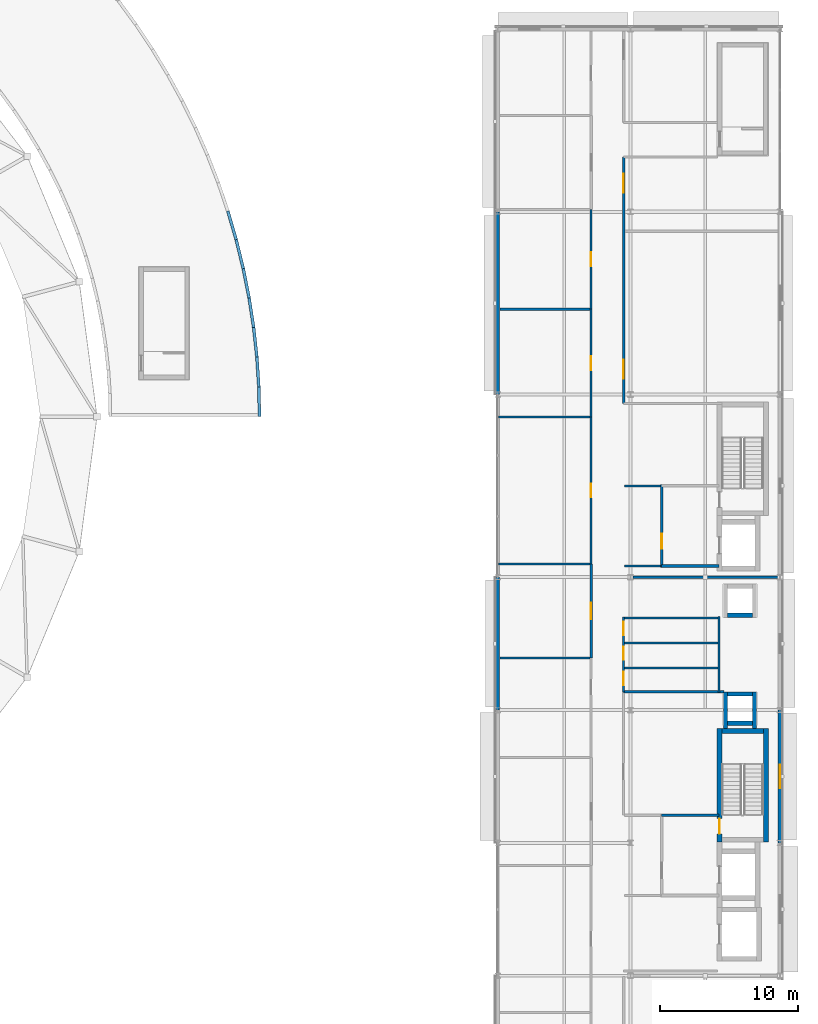
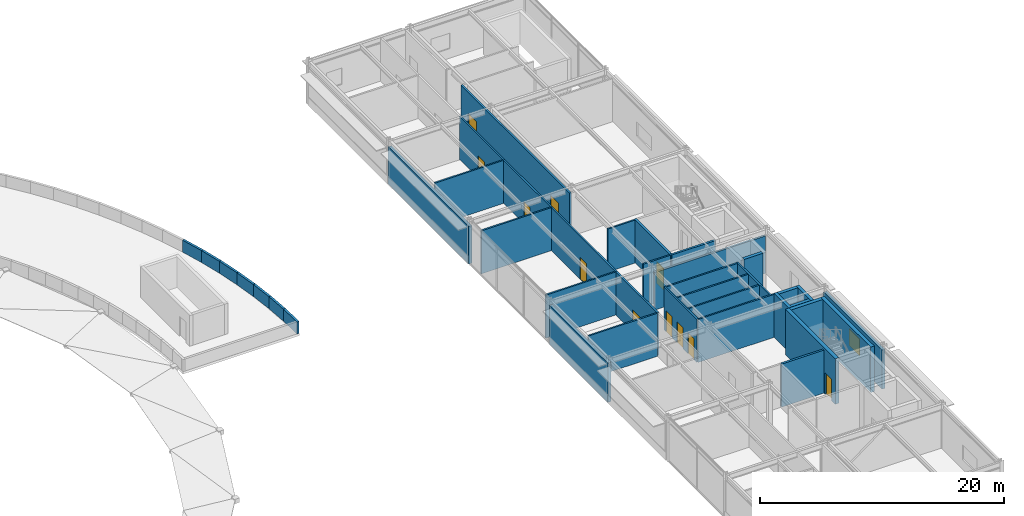
# One storey, part 37 of 50: 39 walls, 11 doors, 1 window, 12 openings.
"""IFC4 building model written with IfcOpenShell, lengths in metres."""

from ifc_helpers import new_model, si_unit, direction, frame, frame_2d, origin, place, context, subcontext, project, spatial, rectangle, extrude, material, layer, layer_set, type_object, element, fill, save


model = new_model("IFC4")

# Units and contexts
model_context = context("Model", 3, precision=1e-05, world=origin(), true_north=direction((0.0, 1.0)))
body_context = subcontext(model_context, "Body", "Model", "MODEL_VIEW")
ifc_project = project(units=[si_unit("LENGTHUNIT", "METRE"), si_unit("AREAUNIT", "SQUARE_METRE"), si_unit("VOLUMEUNIT", "CUBIC_METRE"), si_unit("PLANEANGLEUNIT", "RADIAN"), si_unit("MASSUNIT", "GRAM", prefix="KILO")], contexts=[model_context])

# Site, building, storey
site_placement = place(None, origin())
site = spatial("IfcSite", under=ifc_project, at=site_placement, CompositionType="ELEMENT")
building_placement = place(site_placement, origin())
building = spatial("IfcBuilding", under=site, at=building_placement, Name="Almandine Court Research Institute", CompositionType="ELEMENT")
storey_placement = place(building_placement, frame((0.0, 0.0, 23.449951171875)))
storey = spatial("IfcBuildingStorey", under=building, at=storey_placement, Name="L05", CompositionType="ELEMENT", Elevation=23.449951171875)

# Walls
ifc_material_1 = material(Name="Insulated Ochre Terracotta Rainscreen Wall", Category="masonry")
ifc_layer_1 = layer(ifc_material_1, 0.2900390625)
ifc_layer_set_1 = layer_set([ifc_layer_1], Name="Insulated Ochre Terracotta Rainscreen Wall")
wall_type_1 = type_object("IfcWallType", Name="Wall-EXT-TERR-290", PredefinedType="SOLIDWALL", material=ifc_layer_set_1)
wall_1_placement = place(storey_placement, frame((153.60009765625, 34.803955078125, 0.0), z_axis=(0.0, 0.0, 1.0), x_axis=(0.0, 1.0, 0.0)))
element("IfcWall", 1, at=wall_1_placement, inside=storey, type_object=wall_type_1, Name="L05 Wet Lab West Facade Wall 4", PredefinedType="SOLIDWALL", context=body_context, shape_type="SweptSolid", body=[
    extrude(rectangle(XDim=9.592041015625, YDim=0.2900390625, at=frame_2d((4.7958984375, 0.0))), origin(), (0.0, 0.0, 1.0), 3.907958984375),
])
wall_2_placement = place(storey_placement, frame((153.60009765625, 57.60400390625, 0.0), z_axis=(0.0, 0.0, 1.0), x_axis=(0.0, 1.0, 0.0)))
element("IfcWall", 2, at=wall_2_placement, inside=storey, type_object=wall_type_1, Name="L05 Wet Lab West Facade Wall 6", PredefinedType="SOLIDWALL", context=body_context, shape_type="SweptSolid", body=[
    extrude(rectangle(XDim=13.19189453125, YDim=0.2900390625, at=frame_2d((6.595947265625, 0.0))), origin(), (0.0, 0.0, 1.0), 3.757080078125),
])

# Wall, opening, window
wall_3_placement = place(storey_placement, frame((174.0, 34.7958984375, 0.0), z_axis=(0.0, 0.0, 1.0), x_axis=(0.0, -1.0, 0.0)))
wall_3 = element("IfcWall", 3, at=wall_3_placement, inside=storey, type_object=wall_type_1, Name="L05 Wet Lab East Facade Wall 3", PredefinedType="SOLIDWALL", context=body_context, shape_type="SweptSolid", body=[
    extrude(rectangle(XDim=9.591796875, YDim=0.2900390625, at=frame_2d((4.7958984375, 0.0))), origin(), (0.0, 0.0, 1.0), 3.899169921875),
])
opening_1_placement = place(wall_3_placement, frame((3.94091796875, 0.0, 0.949951171875)))
opening_1 = element("IfcOpeningElement", 4, at=opening_1_placement, cuts=wall_3, Name="Opening WN-84", PredefinedType="OPENING", context=body_context, shape_type="SweptSolid", body=[
    extrude(rectangle(XDim=1.7099609375, YDim=1.639892578125, at=frame_2d((0.85498046875, 0.81982421875))), frame((0.0, 0.155029296875, 0.0), z_axis=(0.0, -1.0, 0.0), x_axis=(1.0, 0.0, 0.0)), (0.0, 0.0, 1.0), 0.31005859375),
])
ifc_material_2 = material(Name="Thermally Broken Low-E Double-Glazed Window", Category="glass")
window_type = type_object("IfcWindowType", Name="Win-WN-84-1710x1640", PartitioningType="SINGLE_PANEL", PredefinedType="WINDOW", material=ifc_material_2)
window_placement = place(opening_1_placement, origin())
window = element("IfcWindow", 5, at=window_placement, inside=storey, type_object=window_type, Name="L05 Modular Recessed Low-E Window 153", OverallHeight=1.639892578125, OverallWidth=1.7099609375, PartitioningType="SINGLE_PANEL", PredefinedType="WINDOW", context=body_context, shape_type="SweptSolid", body=[
    extrude(rectangle(XDim=1.7099609375, YDim=1.639892578125, at=frame_2d((0.85498046875, 0.81982421875))), frame((0.0, 0.030029296875, 0.0), z_axis=(0.0, -1.0, 0.0), x_axis=(1.0, 0.0, 0.0)), (0.0, 0.0, 1.0), 0.06005859375),
])
fill(opening_1, window)

# Wall, opening, door
ifc_material_3 = material(Name="One-Hour Fire-Rated Laboratory Partition")
ifc_layer_2 = layer(ifc_material_3, 0.175048828125)
ifc_layer_set_2 = layer_set([ifc_layer_2], Name="One-Hour Fire-Rated Laboratory Partition")
wall_type_2 = type_object("IfcWallType", Name="Wall-FIRE-175", PredefinedType="PARTITIONING", material=ifc_layer_set_2)
wall_4_placement = place(storey_placement, frame((160.35009765625, 38.56005859375, 0.0), z_axis=(0.0, 0.0, 1.0), x_axis=(0.0, 1.0, 0.0)))
wall_4 = element("IfcWall", 6, at=wall_4_placement, inside=storey, type_object=wall_type_2, Name="L05 Interior Partition W-V4-L05-WW-4", PredefinedType="PARTITIONING", context=body_context, shape_type="SweptSolid", body=[
    extrude(rectangle(XDim=6.800048828125, YDim=0.175048828125, at=frame_2d((3.39990234375, 0.0))), origin(), (0.0, 0.0, 1.0), 4.300048828125),
])
opening_2_placement = place(wall_4_placement, frame((2.800048828125, 0.0, 0.0)))
opening_2 = element("IfcOpeningElement", 7, at=opening_2_placement, cuts=wall_4, Name="Opening FD-LAB", PredefinedType="OPENING", context=body_context, shape_type="SweptSolid", body=[
    extrude(rectangle(XDim=1.199951171875, YDim=2.199951171875, at=frame_2d((0.60009765625, 1.10009765625))), frame((0.0, 0.097412109375, 0.0), z_axis=(0.0, -1.0, 0.0), x_axis=(1.0, 0.0, 0.0)), (0.0, 0.0, 1.0), 0.195068359375),
])
ifc_material_4 = material(Name="Fire-Rated Laboratory Containment Door")
door_type_1 = type_object("IfcDoorType", Name="Door-FD-LAB-1200", OperationType="NOTDEFINED", PredefinedType="DOOR", material=ifc_material_4)
door_1_placement = place(opening_2_placement, origin())
door_1 = element("IfcDoor", 8, at=door_1_placement, inside=storey, type_object=door_type_1, Name="L05 Biosciences BSL-2 Laboratory Door", OperationType="SINGLE_SWING_LEFT", OverallHeight=2.199951171875, OverallWidth=1.199951171875, PredefinedType="DOOR", context=body_context, shape_type="SweptSolid", body=[
    extrude(rectangle(XDim=1.199951171875, YDim=2.199951171875, at=frame_2d((0.60009765625, 1.10009765625))), frame((0.0, 0.02490234375, 0.0), z_axis=(0.0, -1.0, 0.0), x_axis=(1.0, 0.0, 0.0)), (0.0, 0.0, 1.0), 0.050048828125),
])
fill(opening_2, door_1)

# Wall, openings, doors
wall_5_placement = place(storey_placement, frame((162.699951171875, 56.949951171875, 0.0), z_axis=(0.0, 0.0, 1.0), x_axis=(0.0, 1.0, 0.0)))
wall_5 = element("IfcWall", 9, at=wall_5_placement, inside=storey, type_object=wall_type_2, Name="L05 Interior Partition W-V4-L05-EW-N1", PredefinedType="PARTITIONING", context=body_context, shape_type="SweptSolid", body=[
    extrude(rectangle(XDim=17.800048828125, YDim=0.175048828125, at=frame_2d((8.89990234375, 0.0))), origin(), (0.0, 0.0, 1.0), 4.300048828125),
])
opening_3_placement = place(wall_5_placement, frame((1.800048828125, 0.0, 0.0)))
opening_3 = element("IfcOpeningElement", 10, at=opening_3_placement, cuts=wall_5, Name="Opening FD-LB2", PredefinedType="OPENING", context=body_context, shape_type="SweptSolid", body=[
    extrude(rectangle(XDim=1.35009765625, YDim=2.199951171875, at=frame_2d((0.675048828125, 1.10009765625))), frame((0.0, 0.097412109375, 0.0), z_axis=(0.0, -1.0, 0.0), x_axis=(1.0, 0.0, 0.0)), (0.0, 0.0, 1.0), 0.195068359375),
])
opening_4_placement = place(wall_5_placement, frame((15.2451171875, 0.0, 0.0)))
opening_4 = element("IfcOpeningElement", 11, at=opening_4_placement, cuts=wall_5, Name="Opening FD-LB2", PredefinedType="OPENING", context=body_context, shape_type="SweptSolid", body=[
    extrude(rectangle(XDim=1.35009765625, YDim=2.199951171875, at=frame_2d((0.675048828125, 1.10009765625))), frame((0.0, 0.097412109375, 0.0), z_axis=(0.0, -1.0, 0.0), x_axis=(1.0, 0.0, 0.0)), (0.0, 0.0, 1.0), 0.195068359375),
])
ifc_material_5 = material(Name="Wide Fire-Rated Cleanroom and Lab Door")
door_type_2 = type_object("IfcDoorType", Name="Door-FD-LAB-1350", OperationType="NOTDEFINED", PredefinedType="DOOR", material=ifc_material_5)
door_2_placement = place(opening_3_placement, origin())
door_2 = element("IfcDoor", 12, at=door_2_placement, inside=storey, type_object=door_type_2, Name="L05 East Wet Chemistry Lab Door", OperationType="SINGLE_SWING_LEFT", OverallHeight=2.199951171875, OverallWidth=1.35009765625, PredefinedType="DOOR", context=body_context, shape_type="SweptSolid", body=[
    extrude(rectangle(XDim=1.35009765625, YDim=2.199951171875, at=frame_2d((0.675048828125, 1.10009765625))), frame((0.0, 0.02490234375, 0.0), z_axis=(0.0, -1.0, 0.0), x_axis=(1.0, 0.0, 0.0)), (0.0, 0.0, 1.0), 0.050048828125),
])
fill(opening_3, door_2)
door_3_placement = place(opening_4_placement, origin())
door_3 = element("IfcDoor", 13, at=door_3_placement, inside=storey, type_object=door_type_2, Name="L05 East BSL-2 Lab South Door", OperationType="SINGLE_SWING_RIGHT", OverallHeight=2.199951171875, OverallWidth=1.35009765625, PredefinedType="DOOR", context=body_context, shape_type="SweptSolid", body=[
    extrude(rectangle(XDim=1.35009765625, YDim=2.199951171875, at=frame_2d((0.675048828125, 1.10009765625))), frame((0.0, 0.02490234375, 0.0), z_axis=(0.0, -1.0, 0.0), x_axis=(1.0, 0.0, 0.0)), (0.0, 0.0, 1.0), 0.050048828125),
])
fill(opening_4, door_3)

# Walls
ifc_material_6 = material(Name="Two-Hour Fire-Barrier Enclosure Wall")
ifc_layer_3 = layer(ifc_material_6, 0.199951171875)
ifc_layer_set_3 = layer_set([ifc_layer_3], Name="Two-Hour Fire-Barrier Enclosure Wall")
wall_type_3 = type_object("IfcWallType", Name="Wall-FIRE-200", PredefinedType="SOLIDWALL", material=ifc_layer_set_3)
wall_6_placement = place(storey_placement, frame((163.360107421875, 44.39990234375, 0.0), z_axis=(0.0, 0.0, 1.0), x_axis=(1.0, 0.0, 0.0)))
element("IfcWall", 14, at=wall_6_placement, inside=storey, type_object=wall_type_3, Name="L05 Interior Partition W-BF-V4-BF2-L05", PredefinedType="SOLIDWALL", context=body_context, shape_type="SweptSolid", body=[
    extrude(rectangle(XDim=10.47998046875, YDim=0.199951171875, at=frame_2d((5.239990234375, 0.0))), origin(), (0.0, 0.0, 1.0), 3.754150390625),
])
wall_7_placement = place(storey_placement, frame((165.449951171875, 27.199951171875, 0.0), z_axis=(0.0, 0.0, 1.0), x_axis=(1.0, 0.0, 0.0)))
element("IfcWall", 15, at=wall_7_placement, inside=storey, type_object=wall_type_3, Name="L05 Interior Partition W-FFL1-L05-N", PredefinedType="SOLIDWALL", context=body_context, shape_type="SweptSolid", body=[
    extrude(rectangle(XDim=4.150146484375, YDim=0.199951171875, at=frame_2d((2.0751953125, 0.0))), origin(), (0.0, 0.0, 1.0), 4.300048828125),
])

# Wall, opening, door
wall_8_placement = place(storey_placement, frame((165.449951171875, 45.10009765625, 0.0), z_axis=(0.0, 0.0, 1.0), x_axis=(0.0, 1.0, 0.0)))
wall_8 = element("IfcWall", 16, at=wall_8_placement, inside=storey, type_object=wall_type_3, Name="L05 Interior Partition W-FFL2-L05-W", PredefinedType="SOLIDWALL", context=body_context, shape_type="SweptSolid", body=[
    extrude(rectangle(XDim=6.0, YDim=0.199951171875, at=frame_2d((3.0, 0.0))), origin(), (0.0, 0.0, 1.0), 4.300048828125),
])
opening_5_placement = place(wall_8_placement, frame((1.35009765625, 0.0, 0.0)))
opening_5 = element("IfcOpeningElement", 17, at=opening_5_placement, cuts=wall_8, Name="Opening FD-FFL", PredefinedType="OPENING", context=body_context, shape_type="SweptSolid", body=[
    extrude(rectangle(XDim=1.10009765625, YDim=2.14990234375, at=frame_2d((0.550048828125, 1.074951171875))), frame((0.0, 0.10986328125, 0.0), z_axis=(0.0, -1.0, 0.0), x_axis=(1.0, 0.0, 0.0)), (0.0, 0.0, 1.0), 0.219970703125),
])
ifc_material_7 = material(Name="Smoke-Tight Firefighting Lobby Fire Door")
door_type_3 = type_object("IfcDoorType", Name="Door-FD-FFL-1100", OperationType="NOTDEFINED", PredefinedType="DOOR", material=ifc_material_7)
door_4_placement = place(opening_5_placement, origin())
door_4 = element("IfcDoor", 18, at=door_4_placement, inside=storey, type_object=door_type_3, Name="L05 Firefighting Lobby Fire Door 2", OperationType="SINGLE_SWING_LEFT", OverallHeight=2.14990234375, OverallWidth=1.10009765625, PredefinedType="DOOR", context=body_context, shape_type="SweptSolid", body=[
    extrude(rectangle(XDim=1.10009765625, YDim=2.14990234375, at=frame_2d((0.550048828125, 1.074951171875))), frame((0.0, 0.02490234375, 0.0), z_axis=(0.0, -1.0, 0.0), x_axis=(1.0, 0.0, 0.0)), (0.0, 0.0, 1.0), 0.050048828125),
])
fill(opening_5, door_4)

# Walls
wall_9_placement = place(storey_placement, frame((165.449951171875, 45.199951171875, 0.0), z_axis=(0.0, 0.0, 1.0), x_axis=(1.0, 0.0, 0.0)))
element("IfcWall", 19, at=wall_9_placement, inside=storey, type_object=wall_type_3, Name="L05 Interior Partition W-FFL2-L05-S", PredefinedType="SOLIDWALL", context=body_context, shape_type="SweptSolid", body=[
    extrude(rectangle(XDim=4.150146484375, YDim=0.199951171875, at=frame_2d((2.0751953125, 0.0))), origin(), (0.0, 0.0, 1.0), 4.300048828125),
])
ifc_material_8 = material(Name="Precast Concrete C40/50", Category="concrete")
ifc_layer_4 = layer(ifc_material_8, 0.2099609375)
ifc_layer_set_4 = layer_set([ifc_layer_4], Name="Precast Concrete C40/50")
wall_type_4 = type_object("IfcWallType", Name="Wall-PAR-210", PredefinedType="PARAPET", material=ifc_layer_set_4)
for number, where, z_axis, x_axis, name in (
    (20, (136.389892578125, 55.998046875, 0.0), (0.0, 0.0, 1.0), (-0.021706972767, 0.999764375907, 0.0), "L05 Roof Perimeter Parapet 013"),
    (21, (136.343017578125, 58.152099609375, 0.0), (0.0, 0.0, 1.0), (-0.065348349427, 0.997862512186, 0.0), "L05 Roof Perimeter Parapet 014"),
):
    element("IfcWall", number, at=place(storey_placement, frame(where, z_axis=z_axis, x_axis=x_axis)), inside=storey, type_object=wall_type_4, Name=name, PredefinedType="PARAPET", context=body_context, shape_type="SweptSolid", body=[
        extrude(rectangle(XDim=2.159423828125, YDim=0.2099609375, at=frame_2d((1.07958984375, 0.0))), origin(), (0.0, 0.0, 1.0), 1.199951171875),
    ])
wall_10_placement = place(storey_placement, frame((136.202880859375, 60.302001953125, 0.0), z_axis=(0.0, 0.0, 1.0), x_axis=(-0.108744044902, 0.99406978261, 0.0)))
element("IfcWall", 22, at=wall_10_placement, inside=storey, type_object=wall_type_4, Name="L05 Roof Perimeter Parapet 015", PredefinedType="PARAPET", context=body_context, shape_type="SweptSolid", body=[
    extrude(rectangle(XDim=2.15966796875, YDim=0.2099609375, at=frame_2d((1.079833984375, 0.0))), origin(), (0.0, 0.0, 1.0), 1.199951171875),
])
wall_11_placement = place(storey_placement, frame((135.968017578125, 62.444091796875, 0.0), z_axis=(0.0, 0.0, 1.0), x_axis=(-0.152345924522, 0.988327232895, 0.0)))
element("IfcWall", 23, at=wall_11_placement, inside=storey, type_object=wall_type_4, Name="L05 Roof Perimeter Parapet 016", PredefinedType="PARAPET", context=body_context, shape_type="SweptSolid", body=[
    extrude(rectangle(XDim=2.16015625, YDim=0.2099609375, at=frame_2d((1.080078125, 0.0))), origin(), (0.0, 0.0, 1.0), 1.199951171875),
])
wall_12_placement = place(storey_placement, frame((135.639892578125, 64.574951171875, 0.0), z_axis=(0.0, 0.0, 1.0), x_axis=(-0.194898520441, 0.980823412613, 0.0)))
element("IfcWall", 24, at=wall_12_placement, inside=storey, type_object=wall_type_4, Name="L05 Roof Perimeter Parapet 017", PredefinedType="PARAPET", context=body_context, shape_type="SweptSolid", body=[
    extrude(rectangle(XDim=2.15966796875, YDim=0.2099609375, at=frame_2d((1.079833984375, 0.0))), origin(), (0.0, 0.0, 1.0), 1.199951171875),
])
wall_13_placement = place(storey_placement, frame((135.219970703125, 66.68798828125, 0.0), z_axis=(0.0, 0.0, 1.0), x_axis=(-0.237931840123, 0.971281853766, 0.0)))
element("IfcWall", 25, at=wall_13_placement, inside=storey, type_object=wall_type_4, Name="L05 Roof Perimeter Parapet 018", PredefinedType="PARAPET", context=body_context, shape_type="SweptSolid", body=[
    extrude(rectangle(XDim=2.159912109375, YDim=0.2099609375, at=frame_2d((1.080078125, 0.0))), origin(), (0.0, 0.0, 1.0), 1.199951171875),
])
wall_14_placement = place(storey_placement, frame((134.70703125, 68.781005859375, 0.0), z_axis=(0.0, 0.0, 1.0), x_axis=(-0.279735134219, 0.960077212876, 0.0)))
element("IfcWall", 26, at=wall_14_placement, inside=storey, type_object=wall_type_4, Name="L05 Roof Perimeter Parapet 019", PredefinedType="PARAPET", context=body_context, shape_type="SweptSolid", body=[
    extrude(rectangle(XDim=2.1591796875, YDim=0.2099609375, at=frame_2d((1.07958984375, 0.0))), origin(), (0.0, 0.0, 1.0), 1.199951171875),
])
ifc_material_9 = material(Name="Acoustic Steel-Stud Gypsum Partition Wall", Category="steel")
ifc_layer_5 = layer(ifc_material_9, 0.14990234375)
ifc_layer_set_5 = layer_set([ifc_layer_5], Name="Acoustic Steel-Stud Gypsum Partition Wall")
wall_type_5 = type_object("IfcWallType", Name="Wall-PART-150", PredefinedType="PARTITIONING", material=ifc_layer_set_5)
for number, where, z_axis, x_axis, name in (
    (27, (162.699951171875, 37.85009765625, 0.0), (0.0, 0.0, 1.0), (1.0, 0.0, 0.0), "L05 Interior Partition W-V4-L05-WCH-1"),
    (28, (162.699951171875, 39.64990234375, 0.0), (0.0, 0.0, 1.0), (1.0, 0.0, 0.0), "L05 Interior Partition W-V4-L05-WCH-2"),
    (29, (162.699951171875, 41.449951171875, 0.0), (0.0, 0.0, 1.0), (1.0, 0.0, 0.0), "L05 Interior Partition W-V4-L05-WCH-3"),
):
    element("IfcWall", number, at=place(storey_placement, frame(where, z_axis=z_axis, x_axis=x_axis)), inside=storey, type_object=wall_type_5, Name=name, PredefinedType="PARTITIONING", context=body_context, shape_type="SweptSolid", body=[
        extrude(rectangle(XDim=6.900146484375, YDim=0.14990234375, at=frame_2d((3.4501953125, 0.0))), origin(), (0.0, 0.0, 1.0), 4.300048828125),
    ])
wall_15_placement = place(storey_placement, frame((162.699951171875, 36.1201171875, 0.0), z_axis=(0.0, 0.0, 1.0), x_axis=(1.0, 0.0, 0.0)))
element("IfcWall", 30, at=wall_15_placement, inside=storey, type_object=wall_type_5, Name="L05 Interior Partition W-V4-L05-WCS", PredefinedType="PARTITIONING", context=body_context, shape_type="SweptSolid", body=[
    extrude(rectangle(XDim=7.25, YDim=0.14990234375, at=frame_2d((3.625, 0.0))), origin(), (0.0, 0.0, 1.0), 4.300048828125),
])
wall_16_placement = place(storey_placement, frame((169.60009765625, 36.050048828125, 0.0), z_axis=(0.0, 0.0, 1.0), x_axis=(0.0, 1.0, 0.0)))
element("IfcWall", 31, at=wall_16_placement, inside=storey, type_object=wall_type_5, Name="L05 Interior Partition W-V4-L05-WCEAST", PredefinedType="PARTITIONING", context=body_context, shape_type="SweptSolid", body=[
    extrude(rectangle(XDim=5.5, YDim=0.14990234375, at=frame_2d((2.75, 0.0))), origin(), (0.0, 0.0, 1.0), 4.300048828125),
])

# Wall, openings, doors
wall_17_placement = place(storey_placement, frame((162.699951171875, 36.1201171875, 0.0), z_axis=(0.0, 0.0, 1.0), x_axis=(0.0, 1.0, 0.0)))
wall_17 = element("IfcWall", 32, at=wall_17_placement, inside=storey, type_object=wall_type_5, Name="L05 Interior Partition W-V4-L05-WC-ALL", PredefinedType="PARTITIONING", context=body_context, shape_type="SweptSolid", body=[
    extrude(rectangle(XDim=5.39990234375, YDim=0.14990234375, at=frame_2d((2.699951171875, 0.0))), origin(), (0.0, 0.0, 1.0), 4.300048828125),
])
opening_6_placement = place(wall_17_placement, frame((0.47998046875, 0.0, 0.0)))
opening_6 = element("IfcOpeningElement", 33, at=opening_6_placement, cuts=wall_17, Name="Opening D-01", PredefinedType="OPENING", context=body_context, shape_type="SweptSolid", body=[
    extrude(rectangle(XDim=0.949951171875, YDim=2.10009765625, at=frame_2d((0.47509765625, 1.050048828125))), frame((0.0, 0.0849609375, 0.0), z_axis=(0.0, -1.0, 0.0), x_axis=(1.0, 0.0, 0.0)), (0.0, 0.0, 1.0), 0.169921875),
])
opening_7_placement = place(wall_17_placement, frame((2.300048828125, 0.0, 0.0)))
opening_7 = element("IfcOpeningElement", 34, at=opening_7_placement, cuts=wall_17, Name="Opening D-01", PredefinedType="OPENING", context=body_context, shape_type="SweptSolid", body=[
    extrude(rectangle(XDim=0.949951171875, YDim=2.10009765625, at=frame_2d((0.47509765625, 1.050048828125))), frame((0.0, 0.0849609375, 0.0), z_axis=(0.0, -1.0, 0.0), x_axis=(1.0, 0.0, 0.0)), (0.0, 0.0, 1.0), 0.169921875),
])
opening_8_placement = place(wall_17_placement, frame((4.10009765625, 0.0, 0.0)))
opening_8 = element("IfcOpeningElement", 35, at=opening_8_placement, cuts=wall_17, Name="Opening D-01", PredefinedType="OPENING", context=body_context, shape_type="SweptSolid", body=[
    extrude(rectangle(XDim=0.949951171875, YDim=2.10009765625, at=frame_2d((0.47509765625, 1.050048828125))), frame((0.0, 0.0849609375, 0.0), z_axis=(0.0, -1.0, 0.0), x_axis=(1.0, 0.0, 0.0)), (0.0, 0.0, 1.0), 0.169921875),
])
ifc_material_10 = material(Name="Solid-Core Timber Acoustic Room Door", Category="wood")
door_type_4 = type_object("IfcDoorType", Name="Door-INT-950", OperationType="NOTDEFINED", PredefinedType="DOOR", material=ifc_material_10)
door_5_placement = place(opening_6_placement, origin())
door_5 = element("IfcDoor", 36, at=door_5_placement, inside=storey, type_object=door_type_4, Name="L05 V4 Male Toilet Door", OperationType="SINGLE_SWING_RIGHT", OverallHeight=2.10009765625, OverallWidth=0.949951171875, PredefinedType="DOOR", context=body_context, shape_type="SweptSolid", body=[
    extrude(rectangle(XDim=0.949951171875, YDim=2.10009765625, at=frame_2d((0.47509765625, 1.050048828125))), frame((0.0, 0.02490234375, 0.0), z_axis=(0.0, -1.0, 0.0), x_axis=(1.0, 0.0, 0.0)), (0.0, 0.0, 1.0), 0.050048828125),
])
fill(opening_6, door_5)
door_6_placement = place(opening_7_placement, origin())
door_6 = element("IfcDoor", 37, at=door_6_placement, inside=storey, type_object=door_type_4, Name="L05 V4 Female Toilet Door", OperationType="SINGLE_SWING_LEFT", OverallHeight=2.10009765625, OverallWidth=0.949951171875, PredefinedType="DOOR", context=body_context, shape_type="SweptSolid", body=[
    extrude(rectangle(XDim=0.949951171875, YDim=2.10009765625, at=frame_2d((0.47509765625, 1.050048828125))), frame((0.0, 0.02490234375, 0.0), z_axis=(0.0, -1.0, 0.0), x_axis=(1.0, 0.0, 0.0)), (0.0, 0.0, 1.0), 0.050048828125),
])
fill(opening_7, door_6)
door_7_placement = place(opening_8_placement, origin())
door_7 = element("IfcDoor", 38, at=door_7_placement, inside=storey, type_object=door_type_4, Name="L05 V4 Accessible WC Door", OperationType="SINGLE_SWING_RIGHT", OverallHeight=2.10009765625, OverallWidth=0.949951171875, PredefinedType="DOOR", context=body_context, shape_type="SweptSolid", body=[
    extrude(rectangle(XDim=0.949951171875, YDim=2.10009765625, at=frame_2d((0.47509765625, 1.050048828125))), frame((0.0, 0.02490234375, 0.0), z_axis=(0.0, -1.0, 0.0), x_axis=(1.0, 0.0, 0.0)), (0.0, 0.0, 1.0), 0.050048828125),
])
fill(opening_8, door_7)

# Walls
wall_18_placement = place(storey_placement, frame((153.760009765625, 38.56005859375, 0.0), z_axis=(0.0, 0.0, 1.0), x_axis=(1.0, 0.0, 0.0)))
element("IfcWall", 39, at=wall_18_placement, inside=storey, type_object=wall_type_5, Name="L05 Interior Partition W-V4-L05-WDIV-3", PredefinedType="PARTITIONING", context=body_context, shape_type="SweptSolid", body=[
    extrude(rectangle(XDim=6.510009765625, YDim=0.14990234375, at=frame_2d((3.2548828125, 0.0))), origin(), (0.0, 0.0, 1.0), 4.300048828125),
])
wall_19_placement = place(storey_placement, frame((153.659912109375, 45.360107421875, 0.0), z_axis=(0.0, 0.0, 1.0), x_axis=(1.0, 0.0, 0.0)))
element("IfcWall", 40, at=wall_19_placement, inside=storey, type_object=wall_type_5, Name="L05 Interior Partition W-V4-L05-WDIV-4", PredefinedType="PARTITIONING", context=body_context, shape_type="SweptSolid", body=[
    extrude(rectangle(XDim=6.610107421875, YDim=0.14990234375, at=frame_2d((3.30517578125, 0.0))), origin(), (0.0, 0.0, 1.0), 4.300048828125),
])

# Wall, opening, door
wall_20_placement = place(storey_placement, frame((160.35009765625, 45.360107421875, 0.0), z_axis=(0.0, 0.0, 1.0), x_axis=(0.0, 1.0, 0.0)))
wall_20 = element("IfcWall", 41, at=wall_20_placement, inside=storey, type_object=wall_type_5, Name="L05 Interior Partition W-V4-L05-WW-5", PredefinedType="PARTITIONING", context=body_context, shape_type="SweptSolid", body=[
    extrude(rectangle(XDim=10.599853515625, YDim=0.14990234375, at=frame_2d((5.2998046875, 0.0))), origin(), (0.0, 0.0, 1.0), 4.300048828125),
])
opening_9_placement = place(wall_20_placement, frame((4.800048828125, 0.0, 0.0)))
opening_9 = element("IfcOpeningElement", 42, at=opening_9_placement, cuts=wall_20, Name="Opening D-02", PredefinedType="OPENING", context=body_context, shape_type="SweptSolid", body=[
    extrude(rectangle(XDim=1.0, YDim=2.199951171875, at=frame_2d((0.5, 1.10009765625))), frame((0.0, 0.0849609375, 0.0), z_axis=(0.0, -1.0, 0.0), x_axis=(1.0, 0.0, 0.0)), (0.0, 0.0, 1.0), 0.169921875),
])
ifc_material_11 = material(Name="Solid-Core Timber Researcher Office Door", Category="wood")
door_type_5 = type_object("IfcDoorType", Name="Door-INT-1000", OperationType="NOTDEFINED", PredefinedType="DOOR", material=ifc_material_11)
door_8_placement = place(opening_9_placement, origin())
door_8 = element("IfcDoor", 43, at=door_8_placement, inside=storey, type_object=door_type_5, Name="L05 Seminar Room Door", OperationType="SINGLE_SWING_RIGHT", OverallHeight=2.199951171875, OverallWidth=1.0, PredefinedType="DOOR", context=body_context, shape_type="SweptSolid", body=[
    extrude(rectangle(XDim=1.0, YDim=2.199951171875, at=frame_2d((0.5, 1.10009765625))), frame((0.0, 0.02490234375, 0.0), z_axis=(0.0, -1.0, 0.0), x_axis=(1.0, 0.0, 0.0)), (0.0, 0.0, 1.0), 0.050048828125),
])
fill(opening_9, door_8)

# Wall
wall_21_placement = place(storey_placement, frame((153.659912109375, 55.9599609375, 0.0), z_axis=(0.0, 0.0, 1.0), x_axis=(1.0, 0.0, 0.0)))
element("IfcWall", 44, at=wall_21_placement, inside=storey, type_object=wall_type_5, Name="L05 Interior Partition W-V4-L05-WDIV-5", PredefinedType="PARTITIONING", context=body_context, shape_type="SweptSolid", body=[
    extrude(rectangle(XDim=6.610107421875, YDim=0.14990234375, at=frame_2d((3.30517578125, 0.0))), origin(), (0.0, 0.0, 1.0), 4.300048828125),
])

# Wall, opening, door
wall_22_placement = place(storey_placement, frame((160.35009765625, 55.9599609375, 0.0), z_axis=(0.0, 0.0, 1.0), x_axis=(0.0, 1.0, 0.0)))
wall_22 = element("IfcWall", 45, at=wall_22_placement, inside=storey, type_object=wall_type_5, Name="L05 Interior Partition W-V4-L05-WW-6", PredefinedType="PARTITIONING", context=body_context, shape_type="SweptSolid", body=[
    extrude(rectangle(XDim=7.800048828125, YDim=0.14990234375, at=frame_2d((3.89990234375, 0.0))), origin(), (0.0, 0.0, 1.0), 4.300048828125),
])
opening_10_placement = place(wall_22_placement, frame((3.39990234375, 0.0, 0.0)))
opening_10 = element("IfcOpeningElement", 46, at=opening_10_placement, cuts=wall_22, Name="Opening D-02", PredefinedType="OPENING", context=body_context, shape_type="SweptSolid", body=[
    extrude(rectangle(XDim=1.0, YDim=2.199951171875, at=frame_2d((0.5, 1.10009765625))), frame((0.0, 0.0849609375, 0.0), z_axis=(0.0, -1.0, 0.0), x_axis=(1.0, 0.0, 0.0)), (0.0, 0.0, 1.0), 0.169921875),
])
door_9_placement = place(opening_10_placement, origin())
door_9 = element("IfcDoor", 47, at=door_9_placement, inside=storey, type_object=door_type_5, Name="L05 Instrument Room Door", OperationType="SINGLE_SWING_LEFT", OverallHeight=2.199951171875, OverallWidth=1.0, PredefinedType="DOOR", context=body_context, shape_type="SweptSolid", body=[
    extrude(rectangle(XDim=1.0, YDim=2.199951171875, at=frame_2d((0.5, 1.10009765625))), frame((0.0, 0.02490234375, 0.0), z_axis=(0.0, -1.0, 0.0), x_axis=(1.0, 0.0, 0.0)), (0.0, 0.0, 1.0), 0.050048828125),
])
fill(opening_10, door_9)

# Wall
wall_23_placement = place(storey_placement, frame((153.760009765625, 63.760009765625, 0.0), z_axis=(0.0, 0.0, 1.0), x_axis=(1.0, 0.0, 0.0)))
element("IfcWall", 48, at=wall_23_placement, inside=storey, type_object=wall_type_5, Name="L05 Interior Partition W-V4-L05-WDIV-6", PredefinedType="PARTITIONING", context=body_context, shape_type="SweptSolid", body=[
    extrude(rectangle(XDim=6.510009765625, YDim=0.14990234375, at=frame_2d((3.2548828125, 0.0))), origin(), (0.0, 0.0, 1.0), 4.300048828125),
])

# Wall, opening, door
wall_24_placement = place(storey_placement, frame((160.35009765625, 63.760009765625, 0.0), z_axis=(0.0, 0.0, 1.0), x_axis=(0.0, 1.0, 0.0)))
wall_24 = element("IfcWall", 49, at=wall_24_placement, inside=storey, type_object=wall_type_5, Name="L05 Interior Partition W-V4-L05-WW-7", PredefinedType="PARTITIONING", context=body_context, shape_type="SweptSolid", body=[
    extrude(rectangle(XDim=7.199951171875, YDim=0.14990234375, at=frame_2d((3.60009765625, 0.0))), origin(), (0.0, 0.0, 1.0), 4.300048828125),
])
opening_11_placement = place(wall_24_placement, frame((3.10009765625, 0.0, 0.0)))
opening_11 = element("IfcOpeningElement", 50, at=opening_11_placement, cuts=wall_24, Name="Opening D-02", PredefinedType="OPENING", context=body_context, shape_type="SweptSolid", body=[
    extrude(rectangle(XDim=1.0, YDim=2.199951171875, at=frame_2d((0.5, 1.10009765625))), frame((0.0, 0.0849609375, 0.0), z_axis=(0.0, -1.0, 0.0), x_axis=(1.0, 0.0, 0.0)), (0.0, 0.0, 1.0), 0.169921875),
])
door_10_placement = place(opening_11_placement, origin())
door_10 = element("IfcDoor", 51, at=door_10_placement, inside=storey, type_object=door_type_5, Name="L05 Write-up Office Door", OperationType="SINGLE_SWING_RIGHT", OverallHeight=2.199951171875, OverallWidth=1.0, PredefinedType="DOOR", context=body_context, shape_type="SweptSolid", body=[
    extrude(rectangle(XDim=1.0, YDim=2.199951171875, at=frame_2d((0.5, 1.10009765625))), frame((0.0, 0.02490234375, 0.0), z_axis=(0.0, -1.0, 0.0), x_axis=(1.0, 0.0, 0.0)), (0.0, 0.0, 1.0), 0.050048828125),
])
fill(opening_11, door_10)

# Walls
for number, where, z_axis, x_axis, name in (
    (52, (162.780029296875, 45.199951171875, 0.0), (0.0, 0.0, 1.0), (1.0, 0.0, 0.0), "L05 Interior Partition W-V4-L05-FFL2-CS"),
    (53, (162.780029296875, 51.0, 0.0), (0.0, 0.0, 1.0), (1.0, 0.0, 0.0), "L05 Interior Partition W-V4-L05-FFL2-CN"),
):
    element("IfcWall", number, at=place(storey_placement, frame(where, z_axis=z_axis, x_axis=x_axis)), inside=storey, type_object=wall_type_5, Name=name, PredefinedType="PARTITIONING", context=body_context, shape_type="SweptSolid", body=[
        extrude(rectangle(XDim=2.570068359375, YDim=0.14990234375, at=frame_2d((1.28515625, 0.0))), origin(), (0.0, 0.0, 1.0), 4.300048828125),
    ])
ifc_material_12 = material(Name="Concrete C40/50", Category="concrete")
ifc_layer_6 = layer(ifc_material_12, 0.300048828125)
ifc_layer_set_6 = layer_set([ifc_layer_6], Name="Concrete C40/50")
wall_type_6 = type_object("IfcWallType", Name="Wall-SW-CORE-300", PredefinedType="SHEAR", material=ifc_layer_set_6)
wall_25_placement = place(storey_placement, frame((170.050048828125, 33.449951171875, 0.0), z_axis=(0.0, 0.0, 1.0), x_axis=(0.0, 1.0, 0.0)))
element("IfcWall", 54, at=wall_25_placement, inside=storey, type_object=wall_type_6, Name="L05 MEP Riser RS-V4A W Shear Wall", PredefinedType="SHEAR", context=body_context, shape_type="SweptSolid", body=[
    extrude(rectangle(XDim=2.650146484375, YDim=0.300048828125, at=frame_2d((1.3251953125, 0.0))), origin(), (0.0, 0.0, 1.0), 4.3701171875),
])
wall_26_placement = place(storey_placement, frame((170.199951171875, 35.949951171875, 0.0), z_axis=(0.0, 0.0, 1.0), x_axis=(1.0, 0.0, 0.0)))
element("IfcWall", 55, at=wall_26_placement, inside=storey, type_object=wall_type_6, Name="L05 MEP Riser RS-V4A N Shear Wall", PredefinedType="SHEAR", context=body_context, shape_type="SweptSolid", body=[
    extrude(rectangle(XDim=1.800048828125, YDim=0.300048828125, at=frame_2d((0.89990234375, 0.0))), origin(), (0.0, 0.0, 1.0), 4.3701171875),
])
wall_27_placement = place(storey_placement, frame((172.14990234375, 36.10009765625, 0.0), z_axis=(0.0, 0.0, 1.0), x_axis=(0.0, -1.0, 0.0)))
element("IfcWall", 56, at=wall_27_placement, inside=storey, type_object=wall_type_6, Name="L05 MEP Riser RS-V4A E Shear Wall", PredefinedType="SHEAR", context=body_context, shape_type="SweptSolid", body=[
    extrude(rectangle(XDim=2.650146484375, YDim=0.300048828125, at=frame_2d((1.3251953125, 0.0))), origin(), (0.0, 0.0, 1.0), 4.3701171875),
])
for number, where, z_axis, x_axis, name in (
    (57, (172.0, 33.85009765625, 0.0), (0.0, 0.0, 1.0), (-1.0, 0.0, 0.0), "L05 MEP Riser RS-V4A S Shear Wall"),
    (58, (172.0, 41.64990234375, 0.0), (0.0, 0.0, 1.0), (-1.0, 0.0, 0.0), "L05 MEP Riser RS-V4B S Shear Wall"),
):
    element("IfcWall", number, at=place(storey_placement, frame(where, z_axis=z_axis, x_axis=x_axis)), inside=storey, type_object=wall_type_6, Name=name, PredefinedType="SHEAR", context=body_context, shape_type="SweptSolid", body=[
        extrude(rectangle(XDim=1.800048828125, YDim=0.300048828125, at=frame_2d((0.89990234375, 0.0))), origin(), (0.0, 0.0, 1.0), 4.3701171875),
    ])

# Wall, opening, door
ifc_layer_7 = layer(ifc_material_12, 0.35009765625)
ifc_layer_set_7 = layer_set([ifc_layer_7], Name="Concrete C40/50")
wall_type_7 = type_object("IfcWallType", Name="Wall-SW-CORE-350", PredefinedType="SHEAR", material=ifc_layer_set_7)
wall_28_placement = place(storey_placement, frame((169.625, 25.25, 0.0), z_axis=(0.0, 0.0, 1.0), x_axis=(0.0, 1.0, 0.0)))
wall_28 = element("IfcWall", 59, at=wall_28_placement, inside=storey, type_object=wall_type_7, Name="L05 ST-07 W Shear Wall", PredefinedType="SHEAR", context=body_context, shape_type="SweptSolid", body=[
    extrude(rectangle(XDim=8.199951171875, YDim=0.35009765625, at=frame_2d((4.10009765625, 0.0))), origin(), (0.0, 0.0, 1.0), 4.550048828125),
])
opening_12_placement = place(wall_28_placement, frame((0.60009765625, 0.0, 0.0)))
opening_12 = element("IfcOpeningElement", 60, at=opening_12_placement, cuts=wall_28, Name="Opening FD-STAIR", PredefinedType="OPENING", context=body_context, shape_type="SweptSolid", body=[
    extrude(rectangle(XDim=1.10009765625, YDim=2.14990234375, at=frame_2d((0.550048828125, 1.074951171875))), frame((0.0, 0.18505859375, 0.0), z_axis=(0.0, -1.0, 0.0), x_axis=(1.0, 0.0, 0.0)), (0.0, 0.0, 1.0), 0.3701171875),
])
ifc_material_13 = material(Name="Self-Closing Steel Exit Stair Fire Door", Category="steel")
door_type_6 = type_object("IfcDoorType", Name="Door-FD-STAIR-1100", OperationType="NOTDEFINED", PredefinedType="DOOR", material=ifc_material_13)
door_11_placement = place(opening_12_placement, origin())
door_11 = element("IfcDoor", 61, at=door_11_placement, inside=storey, type_object=door_type_6, Name="L05 Exit Stair ST-07 Fire Door", OperationType="SINGLE_SWING_RIGHT", OverallHeight=2.14990234375, OverallWidth=1.10009765625, PredefinedType="DOOR", context=body_context, shape_type="SweptSolid", body=[
    extrude(rectangle(XDim=1.10009765625, YDim=2.14990234375, at=frame_2d((0.550048828125, 1.074951171875))), frame((0.0, 0.02490234375, 0.0), z_axis=(0.0, -1.0, 0.0), x_axis=(1.0, 0.0, 0.0)), (0.0, 0.0, 1.0), 0.050048828125),
])
fill(opening_12, door_11)

# Walls
wall_29_placement = place(storey_placement, frame((169.800048828125, 33.27490234375, 0.0), z_axis=(0.0, 0.0, 1.0), x_axis=(1.0, 0.0, 0.0)))
element("IfcWall", 62, at=wall_29_placement, inside=storey, type_object=wall_type_7, Name="L05 ST-07 N Shear Wall", PredefinedType="SHEAR", context=body_context, shape_type="SweptSolid", body=[
    extrude(rectangle(XDim=3.0, YDim=0.35009765625, at=frame_2d((1.5, 0.0))), origin(), (0.0, 0.0, 1.0), 4.550048828125),
])
wall_30_placement = place(storey_placement, frame((172.97509765625, 33.449951171875, 0.0), z_axis=(0.0, 0.0, 1.0), x_axis=(0.0, -1.0, 0.0)))
element("IfcWall", 63, at=wall_30_placement, inside=storey, type_object=wall_type_7, Name="L05 ST-07 E Shear Wall", PredefinedType="SHEAR", context=body_context, shape_type="SweptSolid", body=[
    extrude(rectangle(XDim=8.199951171875, YDim=0.35009765625, at=frame_2d((4.10009765625, 0.0))), origin(), (0.0, 0.0, 1.0), 4.550048828125),
])

save(model, "model.ifc")
